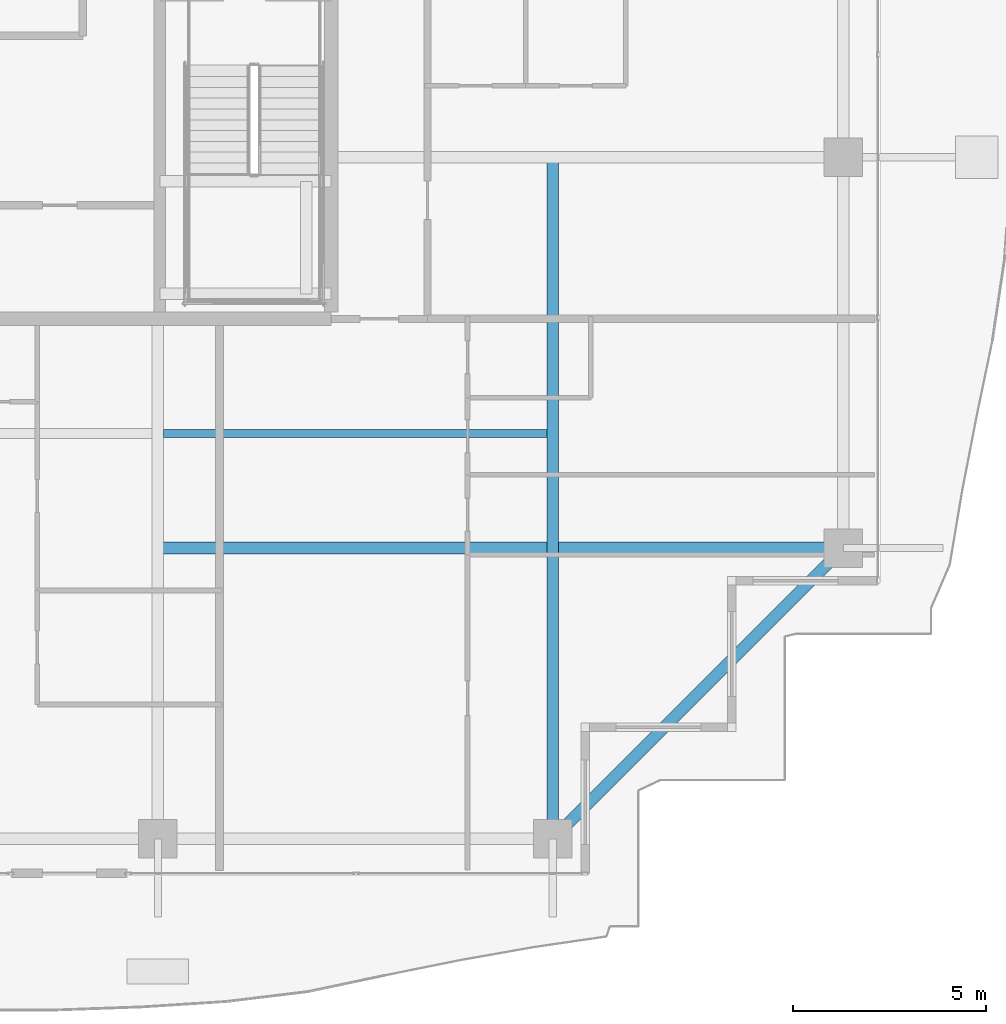
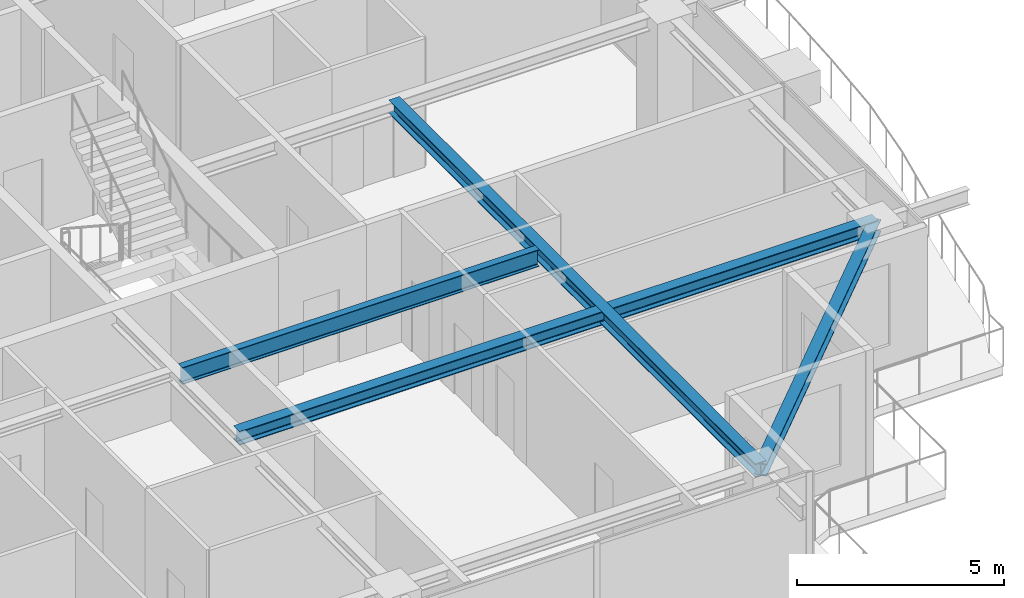
# One storey, part 13 of 42: 4 beams.
"""IFC4 building model written with IfcOpenShell, lengths in metres."""

from ifc_helpers import new_model, si_unit, direction, frame, origin, origin_2d, place, context, subcontext, project, spatial, i_section, extrude, source, transform, mapped, material, material_profile, profile_set, type_object, element, save


model = new_model("IFC4")

# Units and contexts
model_context = context("Model", 3, precision=1e-05, world=origin(), true_north=direction((0.0, 1.0)))
body_context = subcontext(model_context, "Body", "Model", "MODEL_VIEW")
ifc_project = project(units=[si_unit("LENGTHUNIT", "METRE"), si_unit("AREAUNIT", "SQUARE_METRE"), si_unit("VOLUMEUNIT", "CUBIC_METRE"), si_unit("PLANEANGLEUNIT", "RADIAN"), si_unit("MASSUNIT", "GRAM", prefix="KILO")], contexts=[model_context])

# Site, building, storey
site_placement = place(None, origin())
site = spatial("IfcSite", under=ifc_project, at=site_placement, CompositionType="ELEMENT")
building_placement = place(site_placement, origin())
building = spatial("IfcBuilding", under=site, at=building_placement, Name="Serunith Strait Residences", CompositionType="ELEMENT")
storey_placement = place(building_placement, frame((0.0, 0.0, 309.64990234375)))
storey = spatial("IfcBuildingStorey", under=building, at=storey_placement, Name="L77", CompositionType="ELEMENT", Elevation=309.64990234375)

# Beams
ifc_material = material(Name="Steel S355J2", Category="steel")
ifc_material_profile_1 = material_profile(ifc_material, i_section(OverallWidth=0.199951171875, OverallDepth=0.5, WebThickness=0.01025390625, FlangeThickness=0.01611328125, FilletRadius=0.02099609375, at=origin_2d()), Name="IPE 500")
ifc_profile_set_1 = profile_set([ifc_material_profile_1], Name="Steel S355J2")
beam_type_1 = type_object("IfcBeamType", Name="BM-IPE500", PredefinedType="JOIST", material=ifc_profile_set_1)
shared_shape_1 = source(origin(), body_context, "Body", "SweptSolid", [
    extrude(i_section(OverallWidth=0.199951171875, OverallDepth=0.5, WebThickness=0.01025390625, FlangeThickness=0.01611328125, FilletRadius=0.02099609375, at=origin_2d()), origin(), (0.0, 0.0, 1.0), 9.949951171875),
])
beam_1_placement = place(storey_placement, frame((37.050048828125, 13.824951171875, 3.537109375), z_axis=(1.0, 0.0, 0.0), x_axis=(0.0, 1.0, 0.0)))
element("IfcBeam", 1, at=beam_1_placement, inside=storey, type_object=beam_type_1, Name="L77 Composite Floor Joist 03", PredefinedType="JOIST", context=body_context, shape_type="MappedRepresentation", body=[
    mapped(shared_shape_1, transform((0.0, 0.0, 0.0), scale=1.0)),
])
ifc_material_profile_2 = material_profile(ifc_material, i_section(OverallWidth=0.300048828125, OverallDepth=0.39990234375, WebThickness=0.013427734375, FlangeThickness=0.02392578125, FilletRadius=0.027099609375, at=origin_2d()), Name="HEB 400")
ifc_profile_set_2 = profile_set([ifc_material_profile_2], Name="Steel S355J2")
beam_type_2 = type_object("IfcBeamType", Name="BM-HEB400", PredefinedType="BEAM", material=ifc_profile_set_2)
shared_shape_2 = source(origin(), body_context, "Body", "SweptSolid", [
    extrude(i_section(OverallWidth=0.300048828125, OverallDepth=0.39990234375, WebThickness=0.013427734375, FlangeThickness=0.02392578125, FilletRadius=0.027099609375, at=origin_2d()), origin(), (0.0, 0.0, 1.0), 17.699951171875),
])
beam_2_placement = place(storey_placement, frame((47.14990234375, 21.0, 3.587158203125), z_axis=(0.0, -1.0, 0.0), x_axis=(1.0, 0.0, 0.0)))
element("IfcBeam", 2, at=beam_2_placement, inside=storey, type_object=beam_type_2, Name="L77 Orthogonal Corner Girder TC-S4", PredefinedType="BEAM", context=body_context, shape_type="MappedRepresentation", body=[
    mapped(shared_shape_2, transform((0.0, 0.0, 0.0), scale=1.0)),
])
shared_shape_3 = source(origin(), body_context, "Body", "SweptSolid", [
    extrude(i_section(OverallWidth=0.300048828125, OverallDepth=0.39990234375, WebThickness=0.013427734375, FlangeThickness=0.02392578125, FilletRadius=0.027099609375, at=origin_2d()), origin(), (0.0, 0.0, 1.0), 17.800048828125),
])
beam_3_placement = place(storey_placement, frame((36.89990234375, 10.85009765625, 3.587158203125), z_axis=(1.0, 0.0, 0.0), x_axis=(0.0, 1.0, 0.0)))
element("IfcBeam", 3, at=beam_3_placement, inside=storey, type_object=beam_type_2, Name="L77 Orthogonal Corner Girder TC-E1", PredefinedType="BEAM", context=body_context, shape_type="MappedRepresentation", body=[
    mapped(shared_shape_3, transform((0.0, 0.0, 0.0), scale=1.0)),
])
ifc_material_profile_3 = material_profile(ifc_material, i_section(OverallWidth=0.300048828125, OverallDepth=0.360107421875, WebThickness=0.012451171875, FlangeThickness=0.0224609375, FilletRadius=0.027099609375, at=origin_2d()), Name="HEB 360")
ifc_profile_set_3 = profile_set([ifc_material_profile_3], Name="Steel S355J2")
beam_type_3 = type_object("IfcBeamType", Name="BM-HEB360", PredefinedType="BEAM", material=ifc_profile_set_3)
shared_shape_4 = source(origin(), body_context, "Body", "SweptSolid", [
    extrude(i_section(OverallWidth=0.300048828125, OverallDepth=0.360107421875, WebThickness=0.012451171875, FlangeThickness=0.0224609375, FilletRadius=0.027099609375, at=origin_2d()), origin(), (0.0, 0.0, 1.0), 10.677490234375),
])
beam_4_placement = place(storey_placement, frame((47.14990234375, 3.300048828125, 3.5771484375), z_axis=(0.707106781187, 0.707106781187, 0.0), x_axis=(-0.707106781187, 0.707106781187, 0.0)))
element("IfcBeam", 4, at=beam_4_placement, inside=storey, type_object=beam_type_3, Name="L77 Perimeter Ring Beam 04", PredefinedType="BEAM", context=body_context, shape_type="MappedRepresentation", body=[
    mapped(shared_shape_4, transform((0.0, 0.0, 0.0), scale=1.0)),
])

save(model, "model.ifc")
